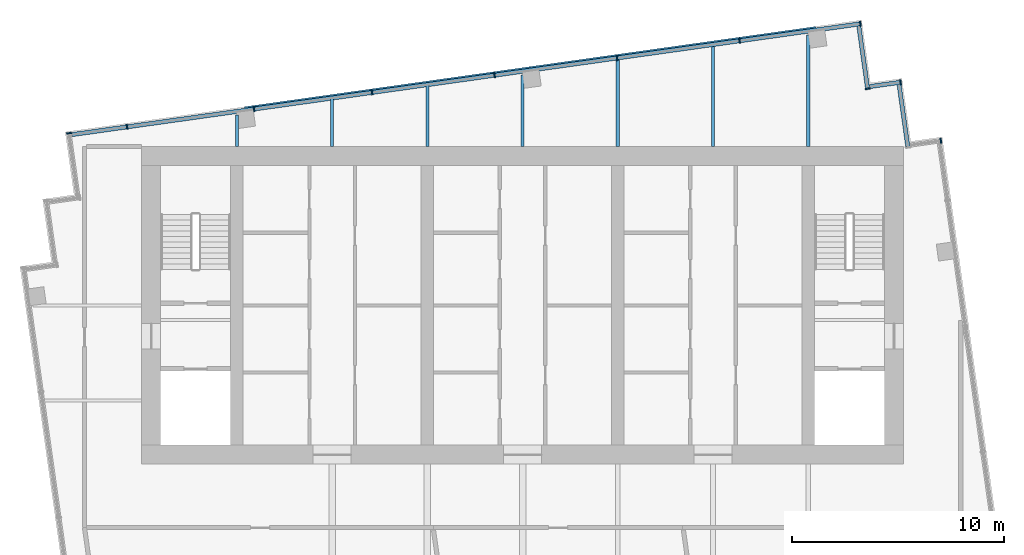
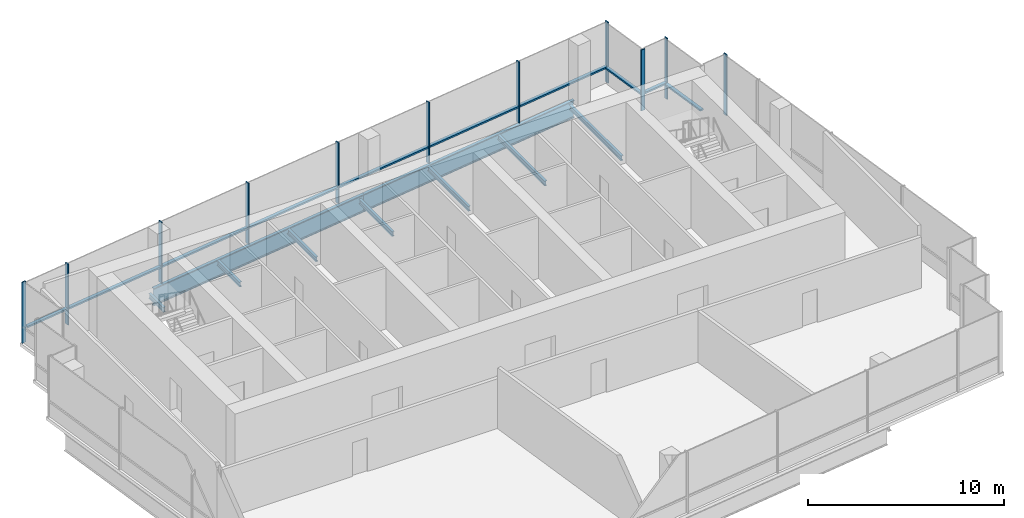
# One storey, part 5 of 10: 21 members, 9 beams, 6 elements without a shape of their own.
"""IFC4 building model written with IfcOpenShell, lengths in metres."""

from ifc_helpers import new_model, si_unit, direction, frame, origin, origin_2d, place, context, subcontext, project, spatial, rectangle, i_section, extrude, material, layer, layer_set, material_profile, profile_set, type_object, element, aggregate, save


model = new_model("IFC4")

# Units and contexts
model_context = context("Model", 3, precision=1e-05, world=origin(), true_north=direction((0.0, 1.0)))
body_context = subcontext(model_context, "Body", "Model", "MODEL_VIEW")
ifc_project = project(units=[si_unit("LENGTHUNIT", "METRE"), si_unit("AREAUNIT", "SQUARE_METRE"), si_unit("VOLUMEUNIT", "CUBIC_METRE"), si_unit("PLANEANGLEUNIT", "RADIAN"), si_unit("MASSUNIT", "GRAM", prefix="KILO")], contexts=[model_context])

# Site, building, storey
site_placement = place(None, origin())
site = spatial("IfcSite", under=ifc_project, at=site_placement, CompositionType="ELEMENT")
building_placement = place(site_placement, origin())
building = spatial("IfcBuilding", under=site, at=building_placement, Name="Rattan Terrace Tower", CompositionType="ELEMENT")
storey_placement = place(building_placement, frame((0.0, 0.0, 308.300048828125)))
storey = spatial("IfcBuildingStorey", under=building, at=storey_placement, Name="C05", CompositionType="ELEMENT", Elevation=308.300048828125)

# Beams
ifc_material_1 = material(Name="Steel S460", Category="steel")
ifc_material_profile_1 = material_profile(ifc_material_1, i_section(OverallWidth=0.179931640625, OverallDepth=1.10009765625, WebThickness=0.01611328125, FlangeThickness=0.050048828125, at=origin_2d()), Name="PG 1100x180-16-50")
ifc_profile_set_1 = profile_set([ifc_material_profile_1], Name="Steel S460")
beam_type_1 = type_object("IfcBeamType", Name="Frame edge girder PG 1100x180-16-50", PredefinedType="SPANDREL", material=ifc_profile_set_1)
beam_1_placement = place(storey_placement, frame((0.361083984375, 11.19189453125, -0.75), z_axis=(-0.990261517274, -0.139219709116, 0.0), x_axis=(0.139219709116, -0.990261517274, 0.0)))
element("IfcBeam", 1, at=beam_1_placement, inside=storey, type_object=beam_type_1, Name="gdr-C05-004", PredefinedType="SPANDREL", context=body_context, shape_type="SweptSolid", body=[
    extrude(i_section(OverallWidth=0.179931640625, OverallDepth=1.10009765625, WebThickness=0.01611328125, FlangeThickness=0.050048828125, at=origin_2d()), origin(), (0.0, 0.0, 1.0), 13.6328125),
])
beam_2_placement = place(storey_placement, frame((13.861083984375, 13.089111328125, -0.75), z_axis=(-0.990268922684, -0.139167024707, 0.0), x_axis=(0.139167024707, -0.990268922684, 0.0)))
element("IfcBeam", 2, at=beam_2_placement, inside=storey, type_object=beam_type_1, Name="gdr-C05-005", PredefinedType="SPANDREL", context=body_context, shape_type="SweptSolid", body=[
    extrude(i_section(OverallWidth=0.179931640625, OverallDepth=1.10009765625, WebThickness=0.01611328125, FlangeThickness=0.050048828125, at=origin_2d()), origin(), (0.0, 0.0, 1.0), 13.632568359375),
])
ifc_material_2 = material(Name="Steel S355", Category="steel")
ifc_material_profile_2 = material_profile(ifc_material_2, i_section(OverallWidth=0.14990234375, OverallDepth=0.300048828125, WebThickness=0.007080078125, FlangeThickness=0.0107421875, FilletRadius=0.014892578125, at=origin_2d()), Name="IPE 300")
ifc_profile_set_2 = profile_set([ifc_material_profile_2], Name="Steel S355")
beam_type_2 = type_object("IfcBeamType", Name="Frame floor beam IPE 300", PredefinedType="JOIST", material=ifc_profile_set_2)
beam_3_placement = place(storey_placement, frame((-13.5, 7.5, -0.35009765625), z_axis=(0.0, 1.0, 0.0), x_axis=(-1.0, 0.0, 0.0)))
element("IfcBeam", 3, at=beam_3_placement, inside=storey, type_object=beam_type_2, Name="bm-C05-011", PredefinedType="JOIST", context=body_context, shape_type="SweptSolid", body=[
    extrude(i_section(OverallWidth=0.14990234375, OverallDepth=0.300048828125, WebThickness=0.007080078125, FlangeThickness=0.0107421875, FilletRadius=0.014892578125, at=origin_2d()), origin(), (0.0, 0.0, 1.0), 1.487060546875),
])
beam_4_placement = place(storey_placement, frame((-9.0, 7.5, -0.35009765625), z_axis=(0.0, 1.0, 0.0), x_axis=(-1.0, 0.0, 0.0)))
element("IfcBeam", 4, at=beam_4_placement, inside=storey, type_object=beam_type_2, Name="bm-C05-012", PredefinedType="JOIST", context=body_context, shape_type="SweptSolid", body=[
    extrude(i_section(OverallWidth=0.14990234375, OverallDepth=0.300048828125, WebThickness=0.007080078125, FlangeThickness=0.0107421875, FilletRadius=0.014892578125, at=origin_2d()), origin(), (0.0, 0.0, 1.0), 2.284912109375),
])
beam_5_placement = place(storey_placement, frame((-4.5, 7.5, -0.35009765625), z_axis=(0.0, 1.0, 0.0), x_axis=(-1.0, 0.0, 0.0)))
element("IfcBeam", 5, at=beam_5_placement, inside=storey, type_object=beam_type_2, Name="bm-C05-013", PredefinedType="JOIST", context=body_context, shape_type="SweptSolid", body=[
    extrude(i_section(OverallWidth=0.14990234375, OverallDepth=0.300048828125, WebThickness=0.007080078125, FlangeThickness=0.0107421875, FilletRadius=0.014892578125, at=origin_2d()), origin(), (0.0, 0.0, 1.0), 2.91796875),
])
beam_6_placement = place(storey_placement, frame((0.0, 7.5, -0.35009765625), z_axis=(0.0, 1.0, 0.0), x_axis=(-1.0, 0.0, 0.0)))
element("IfcBeam", 6, at=beam_6_placement, inside=storey, type_object=beam_type_2, Name="bm-C05-014", PredefinedType="JOIST", context=body_context, shape_type="SweptSolid", body=[
    extrude(i_section(OverallWidth=0.14990234375, OverallDepth=0.300048828125, WebThickness=0.007080078125, FlangeThickness=0.0107421875, FilletRadius=0.014892578125, at=origin_2d()), origin(), (0.0, 0.0, 1.0), 3.385009765625),
])
beam_7_placement = place(storey_placement, frame((4.5, 7.5, -0.35009765625), z_axis=(0.0, 1.0, 0.0), x_axis=(-1.0, 0.0, 0.0)))
element("IfcBeam", 7, at=beam_7_placement, inside=storey, type_object=beam_type_2, Name="bm-C05-015", PredefinedType="JOIST", context=body_context, shape_type="SweptSolid", body=[
    extrude(i_section(OverallWidth=0.14990234375, OverallDepth=0.300048828125, WebThickness=0.007080078125, FlangeThickness=0.0107421875, FilletRadius=0.014892578125, at=origin_2d()), origin(), (0.0, 0.0, 1.0), 4.18310546875),
])
beam_8_placement = place(storey_placement, frame((9.0, 7.5, -0.35009765625), z_axis=(0.0, 1.0, 0.0), x_axis=(-1.0, 0.0, 0.0)))
element("IfcBeam", 8, at=beam_8_placement, inside=storey, type_object=beam_type_2, Name="bm-C05-016", PredefinedType="JOIST", context=body_context, shape_type="SweptSolid", body=[
    extrude(i_section(OverallWidth=0.14990234375, OverallDepth=0.300048828125, WebThickness=0.007080078125, FlangeThickness=0.0107421875, FilletRadius=0.014892578125, at=origin_2d()), origin(), (0.0, 0.0, 1.0), 4.81494140625),
])
beam_9_placement = place(storey_placement, frame((13.5, 7.5, -0.35009765625), z_axis=(0.0, 1.0, 0.0), x_axis=(-1.0, 0.0, 0.0)))
element("IfcBeam", 9, at=beam_9_placement, inside=storey, type_object=beam_type_2, Name="bm-C05-017", PredefinedType="JOIST", context=body_context, shape_type="SweptSolid", body=[
    extrude(i_section(OverallWidth=0.14990234375, OverallDepth=0.300048828125, WebThickness=0.007080078125, FlangeThickness=0.0107421875, FilletRadius=0.014892578125, at=origin_2d()), origin(), (0.0, 0.0, 1.0), 5.281982421875),
])

# Curtain wall, member
ifc_material_3 = material(Name="Aluminium and laminated glass", Category="aluminium")
ifc_layer = layer(ifc_material_3, 0.239990234375)
ifc_layer_set = layer_set([ifc_layer], Name="Lantern Stick Curtain Wall")
curtain_wall_type = type_object("IfcCurtainWallType", Name="Lantern Stick Curtain Wall", PredefinedType="NOTDEFINED", material=ifc_layer_set)
curtain_wall_1_placement = place(storey_placement, origin())
curtain_wall_1 = element("IfcCurtainWall", 10, at=curtain_wall_1_placement, inside=storey, type_object=curtain_wall_type, Name="Lantern curtain wall C05-12", PredefinedType="NOTDEFINED")
ifc_material_4 = material(Name="Aluminium", Category="aluminium")
ifc_material_profile_3 = material_profile(ifc_material_4, rectangle(XDim=0.070068359375, YDim=0.239990234375, at=origin_2d()), Name="Aluminium 70x240")
ifc_profile_set_3 = profile_set([ifc_material_profile_3], Name="Aluminium")
member_type_1 = type_object("IfcMemberType", Name="Lantern CW Mullion 70x240", PredefinedType="MULLION", material=ifc_profile_set_3)
member_1_placement = place(storey_placement, frame((19.763427734375, 7.77880859375, 0.0), z_axis=(0.0, 0.0, 1.0), x_axis=(-0.990227803001, -0.139459306479, 0.0)))
member_1 = element("IfcMember", 11, at=member_1_placement, type_object=member_type_1, Name="Mullion cwl-C05-012.1", PredefinedType="MULLION", context=body_context, shape_type="SweptSolid", body=[
    extrude(rectangle(XDim=0.070068359375, YDim=0.239990234375, at=origin_2d()), origin(), (0.0, 0.0, 1.0), 3.800048828125),
])
aggregate(curtain_wall_1, [member_1])

curtain_wall_2_placement = place(storey_placement, origin())
curtain_wall_2 = element("IfcCurtainWall", 12, at=curtain_wall_2_placement, inside=storey, type_object=curtain_wall_type, Name="Lantern curtain wall C05-14", PredefinedType="NOTDEFINED")
member_2_placement = place(storey_placement, frame((17.860595703125, 10.54296875, 0.0), z_axis=(0.0, 0.0, 1.0), x_axis=(-0.990319742912, -0.13880492354, 0.0)))
member_2 = element("IfcMember", 13, at=member_2_placement, type_object=member_type_1, Name="Mullion cwl-C05-014.1", PredefinedType="MULLION", context=body_context, shape_type="SweptSolid", body=[
    extrude(rectangle(XDim=0.070068359375, YDim=0.239990234375, at=origin_2d()), origin(), (0.0, 0.0, 1.0), 3.800048828125),
])

curtain_wall_3_placement = place(storey_placement, origin())
curtain_wall_3 = element("IfcCurtainWall", 14, at=curtain_wall_3_placement, inside=storey, type_object=curtain_wall_type, Name="Lantern curtain wall C05-15", PredefinedType="NOTDEFINED")
member_3_placement = place(storey_placement, frame((16.30419921875, 10.239013671875, 0.0), z_axis=(0.0, 0.0, 1.0), x_axis=(-0.139413247769, 0.990234288614, 0.0)))
member_3 = element("IfcMember", 15, at=member_3_placement, type_object=member_type_1, Name="Mullion cwl-C05-015.1", PredefinedType="MULLION", context=body_context, shape_type="SweptSolid", body=[
    extrude(rectangle(XDim=0.070068359375, YDim=0.239990234375, at=origin_2d()), origin(), (0.0, 0.0, 1.0), 3.800048828125),
])

# Curtain wall, members
curtain_wall_4_placement = place(storey_placement, origin())
curtain_wall_4 = element("IfcCurtainWall", 16, at=curtain_wall_4_placement, inside=storey, type_object=curtain_wall_type, Name="Lantern curtain wall C05-16", PredefinedType="NOTDEFINED")
member_4_placement = place(storey_placement, frame((15.95849609375, 13.3037109375, 0.0), z_axis=(0.0, 0.0, 1.0), x_axis=(-0.990266952226, -0.13918104515, 0.0)))
member_4 = element("IfcMember", 17, at=member_4_placement, type_object=member_type_1, Name="Mullion cwl-C05-016.1", PredefinedType="MULLION", context=body_context, shape_type="SweptSolid", body=[
    extrude(rectangle(XDim=0.070068359375, YDim=0.239990234375, at=origin_2d()), origin(), (0.0, 0.0, 1.0), 3.800048828125),
])
member_5_placement = place(storey_placement, frame((10.253662109375, 12.501953125, 0.0), z_axis=(0.0, 0.0, 1.0), x_axis=(-0.990266952226, -0.13918104515, 0.0)))
member_5 = element("IfcMember", 18, at=member_5_placement, type_object=member_type_1, Name="Mullion cwl-C05-016.2", PredefinedType="MULLION", context=body_context, shape_type="SweptSolid", body=[
    extrude(rectangle(XDim=0.070068359375, YDim=0.239990234375, at=origin_2d()), origin(), (0.0, 0.0, 1.0), 3.800048828125),
])
member_6_placement = place(storey_placement, frame((4.464599609375, 11.6884765625, 0.0), z_axis=(0.0, 0.0, 1.0), x_axis=(-0.990266952226, -0.13918104515, 0.0)))
member_6 = element("IfcMember", 19, at=member_6_placement, type_object=member_type_1, Name="Mullion cwl-C05-016.3", PredefinedType="MULLION", context=body_context, shape_type="SweptSolid", body=[
    extrude(rectangle(XDim=0.070068359375, YDim=0.239990234375, at=origin_2d()), origin(), (0.0, 0.0, 1.0), 3.800048828125),
])
member_7_placement = place(storey_placement, frame((-1.32470703125, 10.874755859375, 0.0), z_axis=(0.0, 0.0, 1.0), x_axis=(-0.990266952226, -0.13918104515, 0.0)))
member_7 = element("IfcMember", 20, at=member_7_placement, type_object=member_type_1, Name="Mullion cwl-C05-016.4", PredefinedType="MULLION", context=body_context, shape_type="SweptSolid", body=[
    extrude(rectangle(XDim=0.070068359375, YDim=0.239990234375, at=origin_2d()), origin(), (0.0, 0.0, 1.0), 3.800048828125),
])
member_8_placement = place(storey_placement, frame((-7.11376953125, 10.06103515625, 0.0), z_axis=(0.0, 0.0, 1.0), x_axis=(-0.990266952226, -0.13918104515, 0.0)))
member_8 = element("IfcMember", 21, at=member_8_placement, type_object=member_type_1, Name="Mullion cwl-C05-016.5", PredefinedType="MULLION", context=body_context, shape_type="SweptSolid", body=[
    extrude(rectangle(XDim=0.070068359375, YDim=0.239990234375, at=origin_2d()), origin(), (0.0, 0.0, 1.0), 3.800048828125),
])
member_9_placement = place(storey_placement, frame((-12.6875, 9.277587890625, 0.0), z_axis=(0.0, 0.0, 1.0), x_axis=(-0.990266952226, -0.13918104515, 0.0)))
member_9 = element("IfcMember", 22, at=member_9_placement, type_object=member_type_1, Name="Mullion cwl-C05-016.6", PredefinedType="MULLION", context=body_context, shape_type="SweptSolid", body=[
    extrude(rectangle(XDim=0.070068359375, YDim=0.239990234375, at=origin_2d()), origin(), (0.0, 0.0, 1.0), 3.800048828125),
])
member_10_placement = place(storey_placement, frame((-18.69189453125, 8.433837890625, 0.0), z_axis=(0.0, 0.0, 1.0), x_axis=(-0.990266952226, -0.13918104515, 0.0)))
member_10 = element("IfcMember", 23, at=member_10_placement, type_object=member_type_1, Name="Mullion cwl-C05-016.7", PredefinedType="MULLION", context=body_context, shape_type="SweptSolid", body=[
    extrude(rectangle(XDim=0.070068359375, YDim=0.239990234375, at=origin_2d()), origin(), (0.0, 0.0, 1.0), 3.800048828125),
])

# Curtain wall, member
curtain_wall_5_placement = place(storey_placement, origin())
curtain_wall_5 = element("IfcCurtainWall", 24, at=curtain_wall_5_placement, inside=storey, type_object=curtain_wall_type, Name="Lantern curtain wall C05-17", PredefinedType="NOTDEFINED")
member_11_placement = place(storey_placement, frame((-21.431884765625, 8.134521484375, 0.0), z_axis=(0.0, 0.0, 1.0), x_axis=(0.139040257975, -0.990286729519, 0.0)))
member_11 = element("IfcMember", 25, at=member_11_placement, type_object=member_type_1, Name="Mullion cwl-C05-017.1", PredefinedType="MULLION", context=body_context, shape_type="SweptSolid", body=[
    extrude(rectangle(XDim=0.070068359375, YDim=0.239990234375, at=origin_2d()), origin(), (0.0, 0.0, 1.0), 3.800048828125),
])
aggregate(curtain_wall_5, [member_11])

curtain_wall_6_placement = place(storey_placement, origin())
curtain_wall_6 = element("IfcCurtainWall", 26, at=curtain_wall_6_placement, inside=storey, type_object=curtain_wall_type, Name="Lantern curtain wall C05-13", PredefinedType="NOTDEFINED")
ifc_material_5 = material(Name="Aluminium", Category="aluminium")
ifc_material_profile_4 = material_profile(ifc_material_5, rectangle(XDim=0.199951171875, YDim=0.10009765625, at=origin_2d()), Name="Aluminium 200x100")
ifc_profile_set_4 = profile_set([ifc_material_profile_4], Name="Aluminium")
member_type_2 = type_object("IfcMemberType", Name="Lantern CW Transom 200x100", PredefinedType="USERDEFINED", material=ifc_profile_set_4)
member_12_placement = place(storey_placement, frame((18.202392578125, 7.508544921875, 1.0), z_axis=(-0.139532909028, 0.990217434354, 0.0), x_axis=(-0.990217434354, -0.139532909028, 0.0)))
member_12 = element("IfcMember", 27, at=member_12_placement, type_object=member_type_2, Name="Transom cwl-C05-013.1", ObjectType="TRANSOM", PredefinedType="USERDEFINED", context=body_context, shape_type="SweptSolid", body=[
    extrude(rectangle(XDim=0.199951171875, YDim=0.10009765625, at=origin_2d()), origin(), (0.0, 0.0, 1.0), 2.9326171875),
])
aggregate(curtain_wall_6, [member_12])

# Member
member_13_placement = place(storey_placement, frame((17.825927734375, 10.5380859375, 1.0), z_axis=(-0.990301815941, -0.13893276555, 0.0), x_axis=(0.13893276555, -0.990301815941, 0.0)))
member_13 = element("IfcMember", 28, at=member_13_placement, type_object=member_type_2, Name="Transom cwl-C05-014.1", ObjectType="TRANSOM", PredefinedType="USERDEFINED", context=body_context, shape_type="SweptSolid", body=[
    extrude(rectangle(XDim=0.199951171875, YDim=0.10009765625, at=origin_2d()), origin(), (0.0, 0.0, 1.0), 1.4287109375),
])

aggregate(curtain_wall_2, [member_2, member_13])

member_14_placement = place(storey_placement, frame((16.29931640625, 10.2734375, 1.0), z_axis=(-0.139401737802, 0.990235909013, 0.0), x_axis=(-0.990235909013, -0.139401737802, 0.0)))
member_14 = element("IfcMember", 29, at=member_14_placement, type_object=member_type_2, Name="Transom cwl-C05-015.1", ObjectType="TRANSOM", PredefinedType="USERDEFINED", context=body_context, shape_type="SweptSolid", body=[
    extrude(rectangle(XDim=0.199951171875, YDim=0.10009765625, at=origin_2d()), origin(), (0.0, 0.0, 1.0), 2.92822265625),
])

aggregate(curtain_wall_3, [member_3, member_14])

member_15_placement = place(storey_placement, frame((15.923828125, 13.299072265625, 1.0), z_axis=(-0.990262771001, -0.139210791141, 0.0), x_axis=(0.139210791141, -0.990262771001, 0.0)))
member_15 = element("IfcMember", 30, at=member_15_placement, type_object=member_type_2, Name="Transom cwl-C05-016.1", ObjectType="TRANSOM", PredefinedType="USERDEFINED", context=body_context, shape_type="SweptSolid", body=[
    extrude(rectangle(XDim=0.199951171875, YDim=0.10009765625, at=origin_2d()), origin(), (0.0, 0.0, 1.0), 5.69091796875),
])

member_16_placement = place(storey_placement, frame((10.218994140625, 12.4970703125, 1.0), z_axis=(-0.990265684123, -0.139190067348, 0.0), x_axis=(0.139190067348, -0.990265684123, 0.0)))
member_16 = element("IfcMember", 31, at=member_16_placement, type_object=member_type_2, Name="Transom cwl-C05-016.2", ObjectType="TRANSOM", PredefinedType="USERDEFINED", context=body_context, shape_type="SweptSolid", body=[
    extrude(rectangle(XDim=0.199951171875, YDim=0.10009765625, at=origin_2d()), origin(), (0.0, 0.0, 1.0), 5.77587890625),
])

member_17_placement = place(storey_placement, frame((4.429931640625, 11.68359375, 1.0), z_axis=(-0.990266502976, -0.139184241508, 0.0), x_axis=(0.139184241508, -0.990266502976, 0.0)))
member_17 = element("IfcMember", 32, at=member_17_placement, type_object=member_type_2, Name="Transom cwl-C05-016.3", ObjectType="TRANSOM", PredefinedType="USERDEFINED", context=body_context, shape_type="SweptSolid", body=[
    extrude(rectangle(XDim=0.199951171875, YDim=0.10009765625, at=origin_2d()), origin(), (0.0, 0.0, 1.0), 5.776123046875),
])

member_18_placement = place(storey_placement, frame((-1.359375, 10.869873046875, 1.0), z_axis=(-0.990265684123, -0.139190067348, 0.0), x_axis=(0.139190067348, -0.990265684123, 0.0)))
member_18 = element("IfcMember", 33, at=member_18_placement, type_object=member_type_2, Name="Transom cwl-C05-016.4", ObjectType="TRANSOM", PredefinedType="USERDEFINED", context=body_context, shape_type="SweptSolid", body=[
    extrude(rectangle(XDim=0.199951171875, YDim=0.10009765625, at=origin_2d()), origin(), (0.0, 0.0, 1.0), 5.77587890625),
])

member_19_placement = place(storey_placement, frame((-7.1484375, 10.05615234375, 1.0), z_axis=(-0.990265851054, -0.139188879712, 0.0), x_axis=(0.139188879712, -0.990265851054, 0.0)))
member_19 = element("IfcMember", 34, at=member_19_placement, type_object=member_type_2, Name="Transom cwl-C05-016.5", ObjectType="TRANSOM", PredefinedType="USERDEFINED", context=body_context, shape_type="SweptSolid", body=[
    extrude(rectangle(XDim=0.199951171875, YDim=0.10009765625, at=origin_2d()), origin(), (0.0, 0.0, 1.0), 5.55859375),
])

member_20_placement = place(storey_placement, frame((-12.72216796875, 9.272705078125, 1.0), z_axis=(-0.990271143275, -0.139151222765, 0.0), x_axis=(0.139151222765, -0.990271143275, 0.0)))
member_20 = element("IfcMember", 35, at=member_20_placement, type_object=member_type_2, Name="Transom cwl-C05-016.6", ObjectType="TRANSOM", PredefinedType="USERDEFINED", context=body_context, shape_type="SweptSolid", body=[
    extrude(rectangle(XDim=0.199951171875, YDim=0.10009765625, at=origin_2d()), origin(), (0.0, 0.0, 1.0), 5.993408203125),
])

member_21_placement = place(storey_placement, frame((-18.7265625, 8.428955078125, 1.0), z_axis=(-0.990256983473, -0.139251953963, 0.0), x_axis=(0.139251953963, -0.990256983473, 0.0)))
member_21 = element("IfcMember", 36, at=member_21_placement, type_object=member_type_2, Name="Transom cwl-C05-016.7", ObjectType="TRANSOM", PredefinedType="USERDEFINED", context=body_context, shape_type="SweptSolid", body=[
    extrude(rectangle(XDim=0.199951171875, YDim=0.10009765625, at=origin_2d()), origin(), (0.0, 0.0, 1.0), 2.60009765625),
])

aggregate(curtain_wall_4, [member_4, member_5, member_6, member_7, member_8, member_9, member_10, member_15, member_16, member_17, member_18, member_19, member_20, member_21])

save(model, "model.ifc")
